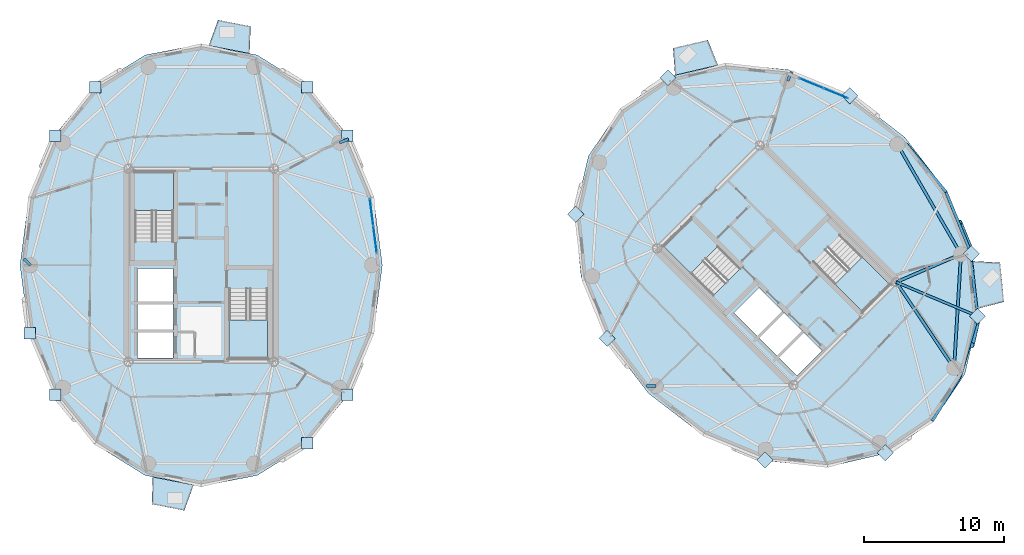
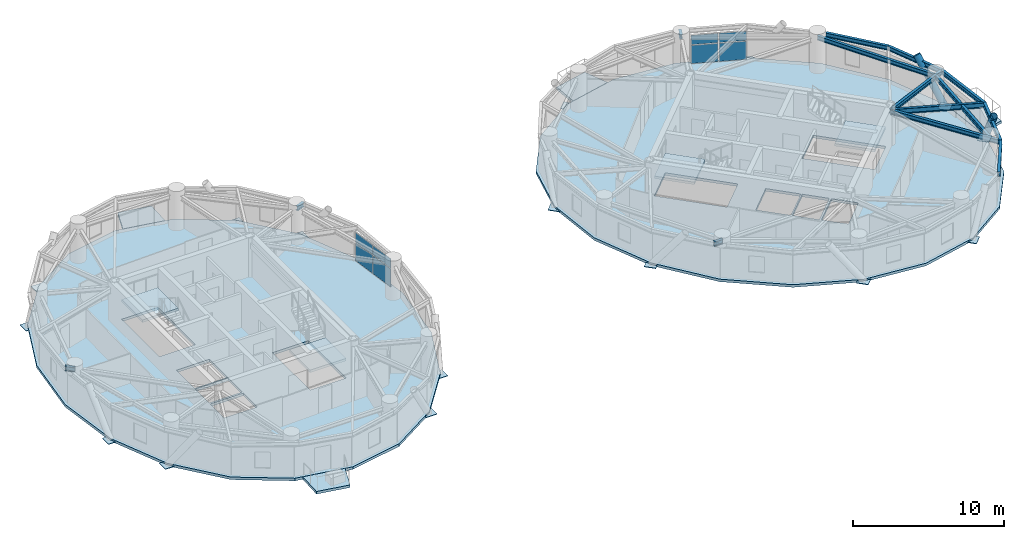
# One storey, part 6 of 15: 24 plates, 14 beams, 10 slabs, 2 members, 6 elements without a shape of their own.
"""IFC4 building model written with IfcOpenShell, lengths in metres."""

from ifc_helpers import new_model, si_unit, direction, frame, origin, origin_2d, place, context, subcontext, project, spatial, polyline, rectangle, hollow_circle, i_section, outline, extrude, source, transform, mapped, material, layer, layer_set, material_profile, profile_set, type_object, element, aggregate, save


model = new_model("IFC4")

# Units and contexts
model_context = context("Model", 3, precision=1e-05, world=origin(), true_north=direction((0.0, 1.0)))
body_context = subcontext(model_context, "Body", "Model", "MODEL_VIEW")
ifc_project = project(units=[si_unit("LENGTHUNIT", "METRE"), si_unit("AREAUNIT", "SQUARE_METRE"), si_unit("VOLUMEUNIT", "CUBIC_METRE"), si_unit("PLANEANGLEUNIT", "RADIAN"), si_unit("MASSUNIT", "GRAM", prefix="KILO")], contexts=[model_context])

# Site, building, storey
site_placement = place(None, origin())
site = spatial("IfcSite", under=ifc_project, at=site_placement, CompositionType="ELEMENT")
building_placement = place(site_placement, origin())
building = spatial("IfcBuilding", under=site, at=building_placement, Name="Cununo Teusaquillo Station Towers", CompositionType="ELEMENT")
storey_placement = place(building_placement, frame((0.0, 0.0, 232.449951171875)))
storey = spatial("IfcBuildingStorey", under=building, at=storey_placement, Name="L74", CompositionType="ELEMENT", Elevation=232.449951171875)

# Beams
ifc_material_1 = material(Name="Steel ASTM A572 Grade 50", Category="steel")
ifc_material_profile_1 = material_profile(ifc_material_1, i_section(OverallWidth=0.180908203125, OverallDepth=0.4169921875, WebThickness=0.010986328125, FlangeThickness=0.018310546875, FilletRadius=0.012939453125, at=origin_2d()), Name="W16X57")
ifc_profile_set_1 = profile_set([ifc_material_profile_1], Name="Steel ASTM A572 Grade 50")
beam_type_1 = type_object("IfcBeamType", Name="BM-JOIST-1", PredefinedType="JOIST", material=ifc_profile_set_1)
beam_1_placement = place(storey_placement, frame((66.024169921875, 23.29443359375, 2.571533203125), z_axis=(0.922169338565, -0.386786389381, 0.0), x_axis=(0.386786389381, 0.922169338565, 0.0)))
element("IfcBeam", 1, at=beam_1_placement, inside=storey, type_object=beam_type_1, Name="L74 Tower B Radial Spandrel Joist V17", PredefinedType="JOIST", context=body_context, shape_type="SweptSolid", body=[
    extrude(i_section(OverallWidth=0.180908203125, OverallDepth=0.4169921875, WebThickness=0.010986328125, FlangeThickness=0.018310546875, FilletRadius=0.012939453125, at=origin_2d()), origin(), (0.0, 0.0, 1.0), 6.281005859375),
])
ifc_material_2 = material(Name="Steel ASTM A572 Grade 50", Category="steel")
ifc_material_profile_2 = material_profile(ifc_material_2, i_section(OverallWidth=0.2041015625, OverallDepth=0.35009765625, WebThickness=0.008544921875, FlangeThickness=0.01513671875, FilletRadius=0.011962890625, at=origin_2d()), Name="W14X48")
ifc_profile_set_2 = profile_set([ifc_material_profile_2], Name="Steel ASTM A572 Grade 50")
beam_type_2 = type_object("IfcBeamType", Name="BM-RAD-G3", PredefinedType="BEAM", material=ifc_profile_set_2)
beam_2_placement = place(storey_placement, frame((26.347412109375, 33.228515625, 2.60498046875), z_axis=(0.929761307449, 0.368162886738, 0.0), x_axis=(-0.368162886738, 0.929761307449, 0.0)))
element("IfcBeam", 2, at=beam_2_placement, inside=storey, type_object=beam_type_2, Name="L74 Tower A Perimeter Overhang Girder 02B", PredefinedType="BEAM", context=body_context, shape_type="SweptSolid", body=[
    extrude(i_section(OverallWidth=0.2041015625, OverallDepth=0.35009765625, WebThickness=0.008544921875, FlangeThickness=0.01513671875, FilletRadius=0.011962890625, at=origin_2d()), origin(), (0.0, 0.0, 1.0), 0.691650390625),
])
beam_3_placement = place(storey_placement, frame((4.327880859375, 24.5, 2.60498046875), z_axis=(-0.712904743691, 0.701260883283, 0.0), x_axis=(-0.701260883283, -0.712904743691, 0.0)))
element("IfcBeam", 3, at=beam_3_placement, inside=storey, type_object=beam_type_2, Name="L74 Tower A Perimeter Overhang Girder 06B", PredefinedType="BEAM", context=body_context, shape_type="SweptSolid", body=[
    extrude(i_section(OverallWidth=0.2041015625, OverallDepth=0.35009765625, WebThickness=0.008544921875, FlangeThickness=0.01513671875, FilletRadius=0.011962890625, at=origin_2d()), origin(), (0.0, 0.0, 1.0), 0.64990234375),
])
beam_4_placement = place(storey_placement, frame((58.291015625, 37.63525390625, 2.60498046875), z_axis=(0.397409333503, 0.917641445034, 0.0), x_axis=(-0.917641445034, 0.397409333503, 0.0)))
element("IfcBeam", 4, at=beam_4_placement, inside=storey, type_object=beam_type_2, Name="L74 Tower B Perimeter Overhang Girder 02B", PredefinedType="BEAM", context=body_context, shape_type="SweptSolid", body=[
    extrude(i_section(OverallWidth=0.2041015625, OverallDepth=0.35009765625, WebThickness=0.008544921875, FlangeThickness=0.01513671875, FilletRadius=0.011962890625, at=origin_2d()), origin(), (0.0, 0.0, 1.0), 0.691650390625),
])
beam_5_placement = place(storey_placement, frame((48.89306640625, 15.89306640625, 2.60498046875), z_axis=(-0.999962704276, -0.008636553586, 0.0), x_axis=(0.008636553586, -0.999962704276, 0.0)))
element("IfcBeam", 5, at=beam_5_placement, inside=storey, type_object=beam_type_2, Name="L74 Tower B Perimeter Overhang Girder 06B", PredefinedType="BEAM", context=body_context, shape_type="SweptSolid", body=[
    extrude(i_section(OverallWidth=0.2041015625, OverallDepth=0.35009765625, WebThickness=0.008544921875, FlangeThickness=0.01513671875, FilletRadius=0.011962890625, at=origin_2d()), origin(), (0.0, 0.0, 1.0), 0.650146484375),
])
beam_6_placement = place(storey_placement, frame((66.024169921875, 23.29443359375, 2.60498046875), z_axis=(0.558570844079, -0.829456817529, 0.0), x_axis=(0.829456817529, 0.558570844079, 0.0)))
element("IfcBeam", 6, at=beam_6_placement, inside=storey, type_object=beam_type_2, Name="L74 Tower B Continuous Overhanging Radial Girder 09", PredefinedType="BEAM", context=body_context, shape_type="SweptSolid", body=[
    extrude(i_section(OverallWidth=0.2041015625, OverallDepth=0.35009765625, WebThickness=0.008544921875, FlangeThickness=0.01513671875, FilletRadius=0.011962890625, at=origin_2d()), origin(), (0.0, 0.0, 1.0), 8.1240234375),
])
beam_7_placement = place(storey_placement, frame((66.024169921875, 23.29443359375, 2.60498046875), z_axis=(0.917665176837, 0.397354530893, 0.0), x_axis=(-0.397354530893, 0.917665176837, 0.0)))
element("IfcBeam", 7, at=beam_7_placement, inside=storey, type_object=beam_type_2, Name="L74 Tower B Continuous Overhanging Radial Girder 10", PredefinedType="BEAM", context=body_context, shape_type="SweptSolid", body=[
    extrude(i_section(OverallWidth=0.2041015625, OverallDepth=0.35009765625, WebThickness=0.008544921875, FlangeThickness=0.01513671875, FilletRadius=0.011962890625, at=origin_2d()), origin(), (0.0, 0.0, 1.0), 5.716552734375),
])
ifc_material_3 = material(Name="Steel ASTM A572 Grade 50", Category="steel")
ifc_material_profile_3 = material_profile(ifc_material_3, i_section(OverallWidth=0.2041015625, OverallDepth=0.35009765625, WebThickness=0.008544921875, FlangeThickness=0.01513671875, FilletRadius=0.011962890625, at=origin_2d()), Name="W14X48")
ifc_profile_set_3 = profile_set([ifc_material_profile_3], Name="Steel ASTM A572 Grade 50")
beam_type_3 = type_object("IfcBeamType", Name="BM-RING-Z4", PredefinedType="SPANDREL", material=ifc_profile_set_3)
beam_8_placement = place(storey_placement, frame((70.146240234375, 17.173095703125, 2.60498046875), z_axis=(0.06012979176, 0.998190567048, 0.0), x_axis=(-0.998190567048, 0.06012979176, 0.0)))
element("IfcBeam", 8, at=beam_8_placement, inside=storey, type_object=beam_type_3, Name="L74 Tower B Structural Column Ring Girder 09", PredefinedType="SPANDREL", context=body_context, shape_type="SweptSolid", body=[
    extrude(i_section(OverallWidth=0.2041015625, OverallDepth=0.35009765625, WebThickness=0.008544921875, FlangeThickness=0.01513671875, FilletRadius=0.011962890625, at=origin_2d()), origin(), (0.0, 0.0, 1.0), 8.132568359375),
])
beam_9_placement = place(storey_placement, frame((70.63525390625, 25.291015625, 2.60498046875), z_axis=(-0.501311121078, 0.865267103202, 0.0), x_axis=(-0.865267103202, -0.501311121078, 0.0)))
element("IfcBeam", 9, at=beam_9_placement, inside=storey, type_object=beam_type_3, Name="L74 Tower B Structural Column Ring Girder 10", PredefinedType="SPANDREL", context=body_context, shape_type="SweptSolid", body=[
    extrude(i_section(OverallWidth=0.2041015625, OverallDepth=0.35009765625, WebThickness=0.008544921875, FlangeThickness=0.01513671875, FilletRadius=0.011962890625, at=origin_2d()), origin(), (0.0, 0.0, 1.0), 9.032958984375),
])
beam_10_placement = place(storey_placement, frame((68.594482421875, 13.405517578125, 2.60498046875), z_axis=(0.529715312739, 0.848175505099, 0.0), x_axis=(-0.848175505099, 0.529715312739, 0.0)))
element("IfcBeam", 10, at=beam_10_placement, inside=storey, type_object=beam_type_3, Name="L74 Tower B Spandrel Ring Beam 16", PredefinedType="SPANDREL", context=body_context, shape_type="SweptSolid", body=[
    extrude(i_section(OverallWidth=0.2041015625, OverallDepth=0.35009765625, WebThickness=0.008544921875, FlangeThickness=0.01513671875, FilletRadius=0.011962890625, at=origin_2d()), origin(), (0.0, 0.0, 1.0), 3.71435546875),
])
beam_11_placement = place(storey_placement, frame((70.56201171875, 16.555908203125, 2.60498046875), z_axis=(0.279502797802, 0.96014487762, 0.0), x_axis=(-0.96014487762, 0.279502797802, 0.0)))
element("IfcBeam", 11, at=beam_11_placement, inside=storey, type_object=beam_type_3, Name="L74 Tower B Spandrel Ring Beam 17", PredefinedType="SPANDREL", context=body_context, shape_type="SweptSolid", body=[
    extrude(i_section(OverallWidth=0.2041015625, OverallDepth=0.35009765625, WebThickness=0.008544921875, FlangeThickness=0.01513671875, FilletRadius=0.011962890625, at=origin_2d()), origin(), (0.0, 0.0, 1.0), 4.488037109375),
])
beam_12_placement = place(storey_placement, frame((71.81640625, 20.864990234375, 2.60498046875), z_axis=(-0.115452326356, 0.993313022334, 0.0), x_axis=(-0.993313022334, -0.115452326356, 0.0)))
element("IfcBeam", 12, at=beam_12_placement, inside=storey, type_object=beam_type_3, Name="L74 Tower B Spandrel Ring Beam 18", PredefinedType="SPANDREL", context=body_context, shape_type="SweptSolid", body=[
    extrude(i_section(OverallWidth=0.2041015625, OverallDepth=0.35009765625, WebThickness=0.008544921875, FlangeThickness=0.01513671875, FilletRadius=0.011962890625, at=origin_2d()), origin(), (0.0, 0.0, 1.0), 4.732666015625),
])
beam_13_placement = place(storey_placement, frame((71.27001953125, 25.56591796875, 2.60498046875), z_axis=(-0.379275405388, 0.925283830437, 0.0), x_axis=(-0.925283830437, -0.379275405388, 0.0)))
element("IfcBeam", 13, at=beam_13_placement, inside=storey, type_object=beam_type_3, Name="L74 Tower B Spandrel Ring Beam 19", PredefinedType="SPANDREL", context=body_context, shape_type="SweptSolid", body=[
    extrude(i_section(OverallWidth=0.2041015625, OverallDepth=0.35009765625, WebThickness=0.008544921875, FlangeThickness=0.01513671875, FilletRadius=0.011962890625, at=origin_2d()), origin(), (0.0, 0.0, 1.0), 4.482177734375),
])
beam_14_placement = place(storey_placement, frame((69.570068359375, 29.713134765625, 2.60498046875), z_axis=(-0.637524682095, 0.770429931739, 0.0), x_axis=(-0.770429931739, -0.637524682095, 0.0)))
element("IfcBeam", 14, at=beam_14_placement, inside=storey, type_object=beam_type_3, Name="L74 Tower B Spandrel Ring Beam 20", PredefinedType="SPANDREL", context=body_context, shape_type="SweptSolid", body=[
    extrude(i_section(OverallWidth=0.2041015625, OverallDepth=0.35009765625, WebThickness=0.008544921875, FlangeThickness=0.01513671875, FilletRadius=0.011962890625, at=origin_2d()), origin(), (0.0, 0.0, 1.0), 4.412353515625),
])

# Members
ifc_material_4 = material(Name="Steel EN 10025-2 S355J2", Category="steel")
ifc_material_profile_4 = material_profile(ifc_material_4, hollow_circle(Radius=0.25390625, WallThickness=0.01806640625, at=origin_2d()), Name="CHS 508x18")
ifc_profile_set_4 = profile_set([ifc_material_profile_4], Name="Steel EN 10025-2 S355J2")
member_type = type_object("IfcMemberType", Name="MBR-DIAG-Z4", PredefinedType="BRACE", material=ifc_profile_set_4)
member_1_placement = place(storey_placement, frame((71.81640625, 20.864990234375, -0.139892578125), z_axis=(-0.124855848593, -0.535988321459, 0.834941636482), x_axis=(0.97392481585, -0.226871005356, 0.0)))
element("IfcMember", 15, at=member_1_placement, inside=storey, type_object=member_type, Name="L74 Tower B Folded-Zigzag Diagrid Tube C16", PredefinedType="BRACE", context=body_context, shape_type="SweptSolid", body=[
    extrude(hollow_circle(Radius=0.25390625, WallThickness=0.01806640625, at=origin_2d()), origin(), (0.0, 0.0, 1.0), 3.83251953125),
])
member_2_placement = place(storey_placement, frame((71.372314453125, 25.329833984375, -0.139892578125), z_axis=(-0.22630825878, 0.550411606357, 0.803636507132), x_axis=(-0.924874275738, -0.380273025704, 0.0)))
element("IfcMember", 16, at=member_2_placement, inside=storey, type_object=member_type, Name="L74 Tower B Folded-Zigzag Diagrid Tube C18", PredefinedType="BRACE", context=body_context, shape_type="SweptSolid", body=[
    extrude(hollow_circle(Radius=0.25390625, WallThickness=0.01806640625, at=origin_2d()), origin(), (0.0, 0.0, 1.0), 3.98193359375),
])

# Slabs
ifc_material_5 = material(Name="Concrete C50/60", Category="concrete")
ifc_layer_1 = layer(ifc_material_5, 0.2099609375)
ifc_layer_set_1 = layer_set([ifc_layer_1], Name="Concrete C50/60")
slab_type_1 = type_object("IfcSlabType", Name="SLB-BAL-210", PredefinedType="FLOOR", material=ifc_layer_set_1)
slab_1_placement = place(storey_placement, frame((0.0, 0.0, -0.2099609375)))
element("IfcSlab", 17, at=slab_1_placement, inside=storey, type_object=slab_type_1, Name="L74 Tower A Tree Balcony Slab 1", PredefinedType="FLOOR", context=body_context, shape_type="SweptSolid", body=[
    extrude(outline(polyline([(19.9501953125, 39.58837890625), (17.041015625, 40.150634765625), (17.69873046875, 41.973876953125), (20.01904296875, 41.525390625), (19.9501953125, 39.58837890625)])), origin(), (0.0, 0.0, 1.0), 0.2099609375),
])
slab_2_placement = place(storey_placement, frame((0.0, 0.0, -0.2099609375)))
element("IfcSlab", 18, at=slab_2_placement, inside=storey, type_object=slab_type_1, Name="L74 Tower A Tree Balcony Slab 2", PredefinedType="FLOOR", context=body_context, shape_type="SweptSolid", body=[
    extrude(outline(polyline([(13.0498046875, 9.41162109375), (15.958984375, 8.849365234375), (15.30126953125, 7.026123046875), (12.98095703125, 7.474609375), (13.0498046875, 9.41162109375)])), origin(), (0.0, 0.0, 1.0), 0.2099609375),
])
slab_3_placement = place(storey_placement, frame((0.0, 0.0, -0.2099609375)))
element("IfcSlab", 19, at=slab_3_placement, inside=storey, type_object=slab_type_1, Name="L74 Tower B Tree Balcony Slab 1", PredefinedType="FLOOR", context=body_context, shape_type="SweptSolid", body=[
    extrude(outline(polyline([(53.319091796875, 38.755615234375), (50.263671875, 38.04248046875), (50.12060546875, 39.9755859375), (52.591796875, 40.55224609375), (53.319091796875, 38.755615234375)])), origin(), (0.0, 0.0, 1.0), 0.2099609375),
])
slab_4_placement = place(storey_placement, frame((0.0, 0.0, -0.2099609375)))
element("IfcSlab", 20, at=slab_4_placement, inside=storey, type_object=slab_type_1, Name="L74 Tower B Tree Balcony Slab 2", PredefinedType="FLOOR", context=body_context, shape_type="SweptSolid", body=[
    extrude(outline(polyline([(71.826416015625, 21.403564453125), (71.490478515625, 24.79248046875), (73.42578125, 24.6826171875), (73.702392578125, 21.89111328125), (71.826416015625, 21.403564453125)])), origin(), (0.0, 0.0, 1.0), 0.2099609375),
])

# Stair, slab
ifc_material_6 = material(Name="Concrete C50/60", Category="concrete")
stair_type = type_object("IfcStairType", Name="ST-TWR-1300", PredefinedType="HALF_TURN_STAIR", material=ifc_material_6)
stair_1_placement = place(storey_placement, origin())
stair_1 = element("IfcStair", 21, at=stair_1_placement, inside=storey, type_object=stair_type, Name="L74 Tower A Protected Core Exit Stair 1", PredefinedType="HALF_TURN_STAIR")
ifc_material_7 = material(Name="Concrete C50/60", Category="concrete")
ifc_layer_2 = layer(ifc_material_7, 0.199951171875)
ifc_layer_set_2 = layer_set([ifc_layer_2], Name="Concrete C50/60")
slab_type_2 = type_object("IfcSlabType", Name="SLB-STAIR-LND", PredefinedType="LANDING", material=ifc_layer_set_2)
slab_5_placement = place(storey_placement, frame((0.0, 0.0, 1.400146484375)))
slab_5 = element("IfcSlab", 22, at=slab_5_placement, type_object=slab_type_2, Name="ST-T1-1 landing 1", PredefinedType="LANDING", context=body_context, shape_type="SweptSolid", body=[
    extrude(outline(polyline([(14.52001953125, 28.409912109375), (14.52001953125, 31.159912109375), (11.760009765625, 31.159912109375), (11.760009765625, 28.409912109375), (14.52001953125, 28.409912109375)])), origin(), (0.0, 0.0, 1.0), 0.199951171875),
])
aggregate(stair_1, [slab_5])

stair_2_placement = place(storey_placement, origin())
stair_2 = element("IfcStair", 23, at=stair_2_placement, inside=storey, type_object=stair_type, Name="L74 Tower A Protected Core Exit Stair 2", PredefinedType="HALF_TURN_STAIR")
slab_6_placement = place(storey_placement, frame((0.0, 0.0, 1.400146484375)))
slab_6 = element("IfcSlab", 24, at=slab_6_placement, type_object=slab_type_2, Name="ST-T1-2 landing 1", PredefinedType="LANDING", context=body_context, shape_type="SweptSolid", body=[
    extrude(outline(polyline([(18.47998046875, 20.590087890625), (18.47998046875, 17.840087890625), (21.239990234375, 17.840087890625), (21.239990234375, 20.590087890625), (18.47998046875, 20.590087890625)])), origin(), (0.0, 0.0, 1.0), 0.199951171875),
])
aggregate(stair_2, [slab_6])

stair_3_placement = place(storey_placement, origin())
stair_3 = element("IfcStair", 25, at=stair_3_placement, inside=storey, type_object=stair_type, Name="L74 Tower B Protected Core Exit Stair 1", PredefinedType="HALF_TURN_STAIR")
slab_7_placement = place(storey_placement, frame((0.0, 0.0, 1.400146484375)))
slab_7 = element("IfcSlab", 26, at=slab_7_placement, type_object=slab_type_2, Name="ST-T2-1 landing 1", PredefinedType="LANDING", context=body_context, shape_type="SweptSolid", body=[
    extrude(outline(polyline([(53.335205078125, 25.86474609375), (51.390625, 27.809326171875), (49.43896484375, 25.857666015625), (51.383544921875, 23.9130859375), (53.335205078125, 25.86474609375)])), origin(), (0.0, 0.0, 1.0), 0.199951171875),
])
aggregate(stair_3, [slab_7])

stair_4_placement = place(storey_placement, origin())
stair_4 = element("IfcStair", 27, at=stair_4_placement, inside=storey, type_object=stair_type, Name="L74 Tower B Protected Core Exit Stair 2", PredefinedType="HALF_TURN_STAIR")
slab_8_placement = place(storey_placement, frame((0.0, 0.0, 1.400146484375)))
slab_8 = element("IfcSlab", 28, at=slab_8_placement, type_object=slab_type_2, Name="ST-T2-2 landing 1", PredefinedType="LANDING", context=body_context, shape_type="SweptSolid", body=[
    extrude(outline(polyline([(61.664794921875, 23.13525390625), (63.609375, 21.190673828125), (65.56103515625, 23.142333984375), (63.616455078125, 25.0869140625), (61.664794921875, 23.13525390625)])), origin(), (0.0, 0.0, 1.0), 0.199951171875),
])
aggregate(stair_4, [slab_8])

# Slabs
ifc_material_8 = material(Name="Concrete C40/50", Category="concrete")
ifc_layer_3 = layer(ifc_material_8, 0.2099609375)
ifc_layer_set_3 = layer_set([ifc_layer_3], Name="Concrete C40/50")
slab_type_3 = type_object("IfcSlabType", Name="SLB-Z4-200", PredefinedType="FLOOR", material=ifc_layer_set_3)
slab_9_placement = place(storey_placement, frame((0.0, 0.0, -0.2099609375)))
element("IfcSlab", 29, at=slab_9_placement, inside=storey, type_object=slab_type_3, Name="L74 Tower A Floor Slab", PredefinedType="FLOOR", context=body_context, shape_type="SweptSolid", body=[
    extrude(outline(polyline([(29.409912109375, 24.5), (28.778076171875, 29.366943359375), (26.9443359375, 33.757568359375), (24.08837890625, 37.241943359375), (20.489501953125, 39.47900390625), (16.5, 40.25), (12.510498046875, 39.47900390625), (8.91162109375, 37.241943359375), (6.0556640625, 33.757568359375), (4.221923828125, 29.366943359375), (3.590087890625, 24.5), (4.221923828125, 19.633056640625), (6.0556640625, 15.242431640625), (8.91162109375, 11.758056640625), (12.510498046875, 9.52099609375), (16.5, 8.75), (20.489501953125, 9.52099609375), (24.08837890625, 11.758056640625), (26.9443359375, 15.242431640625), (28.778076171875, 19.633056640625), (29.409912109375, 24.5)]), holes=[polyline([(14.52001953125, 26.176025390625), (14.52001953125, 31.159912109375), (11.760009765625, 31.159912109375), (11.760009765625, 26.176025390625), (14.52001953125, 26.176025390625)]), polyline([(18.47998046875, 22.823974609375), (18.47998046875, 17.840087890625), (21.239990234375, 17.840087890625), (21.239990234375, 22.823974609375), (18.47998046875, 22.823974609375)]), polyline([(11.949951171875, 21.85009765625), (14.47998046875, 21.85009765625), (14.47998046875, 24.25), (11.949951171875, 24.25), (11.949951171875, 21.85009765625)]), polyline([(11.949951171875, 17.89990234375), (14.47998046875, 17.89990234375), (14.47998046875, 19.75), (11.949951171875, 19.75), (11.949951171875, 17.89990234375)]), polyline([(11.949951171875, 19.89990234375), (14.47998046875, 19.89990234375), (14.47998046875, 21.75), (11.949951171875, 21.75), (11.949951171875, 19.89990234375)])]), origin(), (0.0, 0.0, 1.0), 0.2099609375),
])
slab_10_placement = place(storey_placement, frame((0.0, 0.0, -0.2099609375)))
element("IfcSlab", 30, at=slab_10_placement, inside=storey, type_object=slab_type_3, Name="L74 Tower B Floor Slab", PredefinedType="FLOOR", context=body_context, shape_type="SweptSolid", body=[
    extrude(outline(polyline([(66.628662109375, 33.628662109375), (62.740478515625, 36.623291015625), (58.339111328125, 38.431396484375), (53.855712890625, 38.875732421875), (49.72900390625, 37.912841796875), (46.363037109375, 35.636962890625), (44.087158203125, 32.27099609375), (43.124267578125, 28.144287109375), (43.568603515625, 23.660888671875), (45.376708984375, 19.259521484375), (48.371337890625, 15.371337890625), (52.259521484375, 12.376708984375), (56.660888671875, 10.568603515625), (61.144287109375, 10.124267578125), (65.27099609375, 11.087158203125), (68.636962890625, 13.363037109375), (70.912841796875, 16.72900390625), (71.875732421875, 20.855712890625), (71.431396484375, 25.339111328125), (69.623291015625, 29.740478515625), (66.628662109375, 33.628662109375)]), holes=[polyline([(54.914794921875, 24.28515625), (51.390625, 27.809326171875), (49.43896484375, 25.857666015625), (52.963134765625, 22.33349609375), (54.914794921875, 24.28515625)]), polyline([(60.085205078125, 24.71484375), (63.609375, 21.190673828125), (65.56103515625, 23.142333984375), (62.036865234375, 26.66650390625), (60.085205078125, 24.71484375)]), polyline([(56.156494140625, 19.40869140625), (57.945556640625, 21.19775390625), (56.248291015625, 22.89501953125), (54.45947265625, 21.10595703125), (56.156494140625, 19.40869140625)]), polyline([(58.94970703125, 16.61572265625), (60.738525390625, 18.40478515625), (59.430419921875, 19.712890625), (57.641357421875, 17.923828125), (58.94970703125, 16.61572265625)]), polyline([(57.535400390625, 18.030029296875), (59.32421875, 19.819091796875), (58.01611328125, 21.127197265625), (56.227294921875, 19.338134765625), (57.535400390625, 18.030029296875)])]), origin(), (0.0, 0.0, 1.0), 0.2099609375),
])

# Plates
ifc_material_9 = material(Name="Steel ASTM A572 Grade 50", Category="steel")
ifc_layer_4 = layer(ifc_material_9, 0.044921875)
ifc_layer_set_4 = layer_set([ifc_layer_4], Name="Steel ASTM A572 Grade 50")
plate_type_1 = type_object("IfcPlateType", Name="PLT-NODE-DN2", PredefinedType="USERDEFINED", material=ifc_layer_set_4)
shared_shape_1 = source(origin(), body_context, "Body", "SweptSolid", [
    extrude(rectangle(XDim=0.820068359375, YDim=0.820068359375, at=origin_2d()), origin(), (0.0, 0.0, 1.0), 0.044921875),
])
for number, where, z_axis, x_axis, name in (
    (31, (26.89599609375, 33.722412109375, -0.162353515625), (0.0, 0.0, 1.0), (1.0, 0.0, 0.0), "L74 Tower A Diagrid Node Assembly C01"),
    (32, (24.052978515625, 37.193603515625, -0.162353515625), (0.0, 0.0, 1.0), (1.0, 0.0, 0.0), "L74 Tower A Diagrid Node Assembly C03"),
    (33, (8.947021484375, 37.193603515625, -0.162353515625), (0.0, 0.0, 1.0), (1.0, 0.0, 0.0), "L74 Tower A Diagrid Node Assembly C06"),
    (34, (6.10400390625, 33.722412109375, -0.162353515625), (0.0, 0.0, 1.0), (1.0, 0.0, 0.0), "L74 Tower A Diagrid Node Assembly C08"),
    (35, (4.27880859375, 19.651611328125, -0.162353515625), (0.0, 0.0, 1.0), (1.0, 0.0, 0.0), "L74 Tower A Diagrid Node Assembly C10"),
    (36, (6.10400390625, 15.277587890625, -0.162353515625), (0.0, 0.0, 1.0), (1.0, 0.0, 0.0), "L74 Tower A Diagrid Node Assembly C12"),
    (37, (24.052978515625, 11.806396484375, -0.162353515625), (0.0, 0.0, 1.0), (1.0, 0.0, 0.0), "L74 Tower A Diagrid Node Assembly C16"),
    (38, (26.89599609375, 15.277587890625, -0.162353515625), (0.0, 0.0, 1.0), (1.0, 0.0, 0.0), "L74 Tower A Diagrid Node Assembly C18"),
    (39, (62.713134765625, 36.570068359375, -0.162353515625), (0.0, 0.0, 1.0), (0.707106781187, 0.707106781187, 0.0), "L74 Tower B Diagrid Node Assembly C00"),
    (40, (49.75634765625, 37.859375, -0.162353515625), (0.0, 0.0, 1.0), (0.707106781187, 0.707106781187, 0.0), "L74 Tower B Diagrid Node Assembly C04"),
    (41, (43.18359375, 28.135009765625, -0.162353515625), (0.0, 0.0, 1.0), (0.707106781187, 0.707106781187, 0.0), "L74 Tower B Diagrid Node Assembly C06"),
    (42, (45.429931640625, 19.286865234375, -0.162353515625), (0.0, 0.0, 1.0), (0.707106781187, 0.707106781187, 0.0), "L74 Tower B Diagrid Node Assembly C09"),
    (43, (56.670166015625, 10.627685546875, -0.162353515625), (0.0, 0.0, 1.0), (0.707106781187, 0.707106781187, 0.0), "L74 Tower B Diagrid Node Assembly C11"),
    (44, (65.24365234375, 11.140625, -0.162353515625), (0.0, 0.0, 1.0), (0.707106781187, 0.707106781187, 0.0), "L74 Tower B Diagrid Node Assembly C14"),
    (45, (71.81640625, 20.864990234375, -0.162353515625), (0.0, 0.0, 1.0), (0.707106781187, 0.707106781187, 0.0), "L74 Tower B Diagrid Node Assembly C16"),
    (46, (71.372314453125, 25.329833984375, -0.162353515625), (0.0, 0.0, 1.0), (0.707106781187, 0.707106781187, 0.0), "L74 Tower B Diagrid Node Assembly C18"),
):
    element("IfcPlate", number, at=place(storey_placement, frame(where, z_axis=z_axis, x_axis=x_axis)), inside=storey, type_object=plate_type_1, Name=name, ObjectType="GUSSET PLATE", PredefinedType="USERDEFINED", context=body_context, shape_type="MappedRepresentation", body=[
        mapped(shared_shape_1, transform((0.0, 0.0, 0.0), x_axis=(1.0, 0.0, 0.0), y_axis=(0.0, 1.0, 0.0), z_axis=(0.0, 0.0, 1.0), scale=1.0)),
    ])

# Curtain wall, plates
ifc_material_10 = material(Name="Ceramic-fritted dark low-E double glazing", Category="glass")
ifc_layer_5 = layer(ifc_material_10, 0.179931640625)
ifc_layer_set_5 = layer_set([ifc_layer_5], Name="Ceramic-fritted dark low-E double glazing")
curtain_wall_type = type_object("IfcCurtainWallType", Name="CW-SYS-07", PredefinedType="USERDEFINED", material=ifc_layer_set_5)
curtain_wall_1_placement = place(storey_placement, origin())
curtain_wall_1 = element("IfcCurtainWall", 47, at=curtain_wall_1_placement, inside=storey, type_object=curtain_wall_type, Name="L74 Tower A Facade Curtain Wall C00", ObjectType="FRITTED GLAZING", PredefinedType="USERDEFINED")
ifc_material_11 = material(Name="Ceramic-fritted dark low-E double glazing", Category="glass")
ifc_layer_6 = layer(ifc_material_11, 0.028076171875)
ifc_layer_set_6 = layer_set([ifc_layer_6], Name="Ceramic-fritted dark low-E double glazing")
plate_type_2 = type_object("IfcPlateType", Name="CWP-FRIT-28", PredefinedType="CURTAIN_PANEL", material=ifc_layer_set_6)
shared_shape_2 = source(origin(), body_context, "Body", "SweptSolid", [
    extrude(rectangle(XDim=1.8876953125, YDim=0.028076171875, at=origin_2d()), origin(), (0.0, 0.0, 1.0), 1.46337890625),
])
plate_1_placement = place(storey_placement, frame((28.64111328125, 28.280029296875, 0.065185546875), z_axis=(0.0, 0.0, 1.0), x_axis=(0.12825264413, -0.991741528461, 0.0)))
plate_1 = element("IfcPlate", 48, at=plate_1_placement, type_object=plate_type_2, Name="CW-07 panel 1.1", PredefinedType="CURTAIN_PANEL", context=body_context, shape_type="MappedRepresentation", body=[
    mapped(shared_shape_2, transform((0.0, 0.0, 0.0), x_axis=(1.0, 0.0, 0.0), y_axis=(0.0, 1.0, 0.0), z_axis=(0.0, 0.0, 1.0), scale=1.0)),
])
plate_2_placement = place(storey_placement, frame((28.8916015625, 26.343505859375, 0.065185546875), z_axis=(0.0, 0.0, 1.0), x_axis=(0.12825264413, -0.991741528461, 0.0)))
plate_2 = element("IfcPlate", 49, at=plate_2_placement, type_object=plate_type_2, Name="CW-07 panel 2.1", PredefinedType="CURTAIN_PANEL", context=body_context, shape_type="MappedRepresentation", body=[
    mapped(shared_shape_2, transform((0.0, 0.0, 0.0), x_axis=(1.0, 0.0, 0.0), y_axis=(0.0, 1.0, 0.0), z_axis=(0.0, 0.0, 1.0), scale=1.0)),
])
shared_shape_3 = source(origin(), body_context, "Body", "SweptSolid", [
    extrude(rectangle(XDim=1.8876953125, YDim=0.028076171875, at=origin_2d()), origin(), (0.0, 0.0, 1.0), 0.743408203125),
])
plate_3_placement = place(storey_placement, frame((28.64111328125, 28.280029296875, 1.59375), z_axis=(0.0, 0.0, 1.0), x_axis=(0.12825264413, -0.991741528461, 0.0)))
plate_3 = element("IfcPlate", 50, at=plate_3_placement, type_object=plate_type_2, Name="CW-07 panel 1.2", PredefinedType="CURTAIN_PANEL", context=body_context, shape_type="MappedRepresentation", body=[
    mapped(shared_shape_3, transform((0.0, 0.0, 0.0), x_axis=(1.0, 0.0, 0.0), y_axis=(0.0, 1.0, 0.0), z_axis=(0.0, 0.0, 1.0), scale=1.0)),
])
plate_4_placement = place(storey_placement, frame((28.8916015625, 26.343505859375, 1.59375), z_axis=(0.0, 0.0, 1.0), x_axis=(0.12825264413, -0.991741528461, 0.0)))
plate_4 = element("IfcPlate", 51, at=plate_4_placement, type_object=plate_type_2, Name="CW-07 panel 2.2", PredefinedType="CURTAIN_PANEL", context=body_context, shape_type="MappedRepresentation", body=[
    mapped(shared_shape_3, transform((0.0, 0.0, 0.0), x_axis=(1.0, 0.0, 0.0), y_axis=(0.0, 1.0, 0.0), z_axis=(0.0, 0.0, 1.0), scale=1.0)),
])
aggregate(curtain_wall_1, [plate_1, plate_3, plate_2, plate_4])

curtain_wall_2_placement = place(storey_placement, origin())
curtain_wall_2 = element("IfcCurtainWall", 52, at=curtain_wall_2_placement, inside=storey, type_object=curtain_wall_type, Name="L74 Tower B Facade Curtain Wall C01", ObjectType="FRITTED GLAZING", PredefinedType="USERDEFINED")
shared_shape_4 = source(origin(), body_context, "Body", "SweptSolid", [
    extrude(rectangle(XDim=1.81298828125, YDim=0.028076171875, at=origin_2d()), origin(), (0.0, 0.0, 1.0), 1.46337890625),
])
plate_5_placement = place(storey_placement, frame((59.979248046875, 37.46044921875, 0.065185546875), z_axis=(0.0, 0.0, 1.0), x_axis=(0.924447019904, -0.381310513086, 0.0)))
plate_5 = element("IfcPlate", 53, at=plate_5_placement, type_object=plate_type_2, Name="CW-07 panel 1.1", PredefinedType="CURTAIN_PANEL", context=body_context, shape_type="MappedRepresentation", body=[
    mapped(shared_shape_4, transform((0.0, 0.0, 0.0), x_axis=(1.0, 0.0, 0.0), y_axis=(0.0, 1.0, 0.0), z_axis=(0.0, 0.0, 1.0), scale=1.0)),
])
plate_6_placement = place(storey_placement, frame((61.71533203125, 36.744384765625, 0.065185546875), z_axis=(0.0, 0.0, 1.0), x_axis=(0.924447019904, -0.381310513086, 0.0)))
plate_6 = element("IfcPlate", 54, at=plate_6_placement, type_object=plate_type_2, Name="CW-07 panel 2.1", PredefinedType="CURTAIN_PANEL", context=body_context, shape_type="MappedRepresentation", body=[
    mapped(shared_shape_4, transform((0.0, 0.0, 0.0), x_axis=(1.0, 0.0, 0.0), y_axis=(0.0, 1.0, 0.0), z_axis=(0.0, 0.0, 1.0), scale=1.0)),
])
shared_shape_5 = source(origin(), body_context, "Body", "SweptSolid", [
    extrude(rectangle(XDim=1.81298828125, YDim=0.028076171875, at=origin_2d()), origin(), (0.0, 0.0, 1.0), 0.743408203125),
])
plate_7_placement = place(storey_placement, frame((59.979248046875, 37.46044921875, 1.59375), z_axis=(0.0, 0.0, 1.0), x_axis=(0.924447019904, -0.381310513086, 0.0)))
plate_7 = element("IfcPlate", 55, at=plate_7_placement, type_object=plate_type_2, Name="CW-07 panel 1.2", PredefinedType="CURTAIN_PANEL", context=body_context, shape_type="MappedRepresentation", body=[
    mapped(shared_shape_5, transform((0.0, 0.0, 0.0), x_axis=(1.0, 0.0, 0.0), y_axis=(0.0, 1.0, 0.0), z_axis=(0.0, 0.0, 1.0), scale=1.0)),
])
plate_8_placement = place(storey_placement, frame((61.71533203125, 36.744384765625, 1.59375), z_axis=(0.0, 0.0, 1.0), x_axis=(0.924447019904, -0.381310513086, 0.0)))
plate_8 = element("IfcPlate", 56, at=plate_8_placement, type_object=plate_type_2, Name="CW-07 panel 2.2", PredefinedType="CURTAIN_PANEL", context=body_context, shape_type="MappedRepresentation", body=[
    mapped(shared_shape_5, transform((0.0, 0.0, 0.0), x_axis=(1.0, 0.0, 0.0), y_axis=(0.0, 1.0, 0.0), z_axis=(0.0, 0.0, 1.0), scale=1.0)),
])
aggregate(curtain_wall_2, [plate_5, plate_7, plate_6, plate_8])

save(model, "model.ifc")
